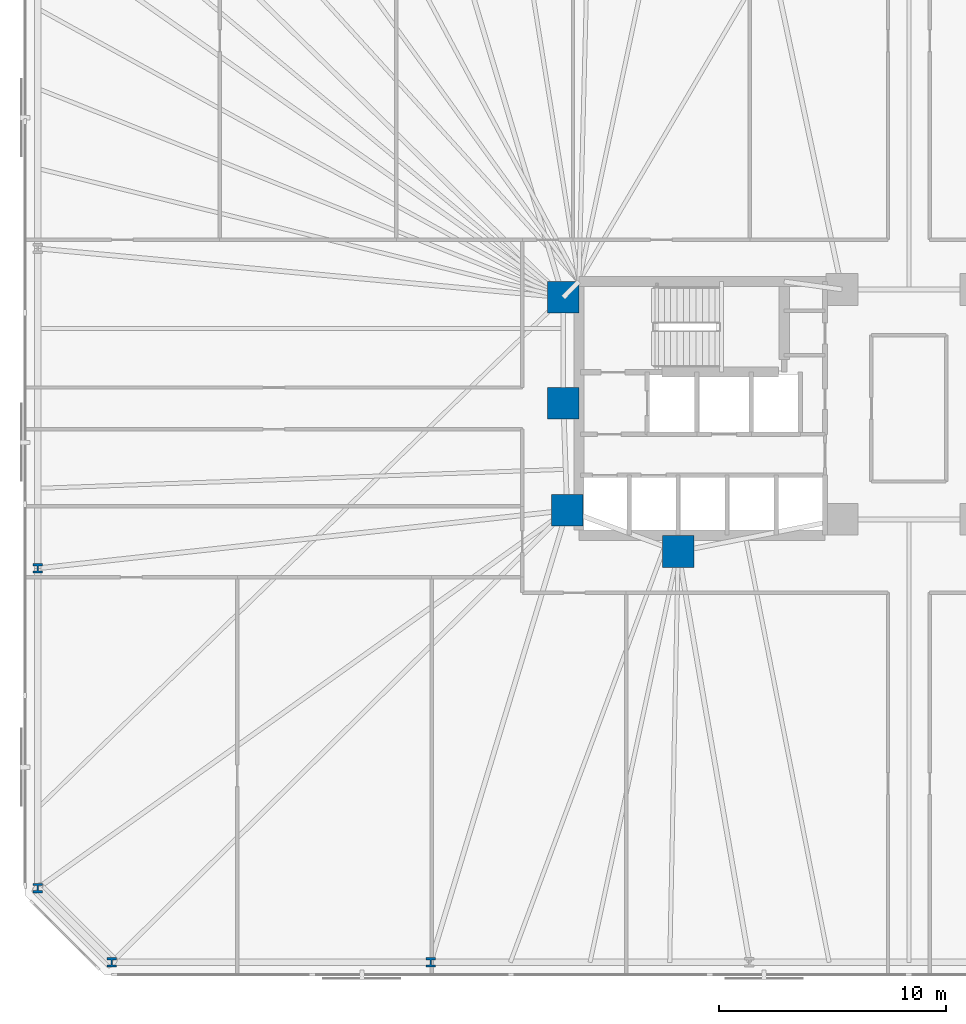
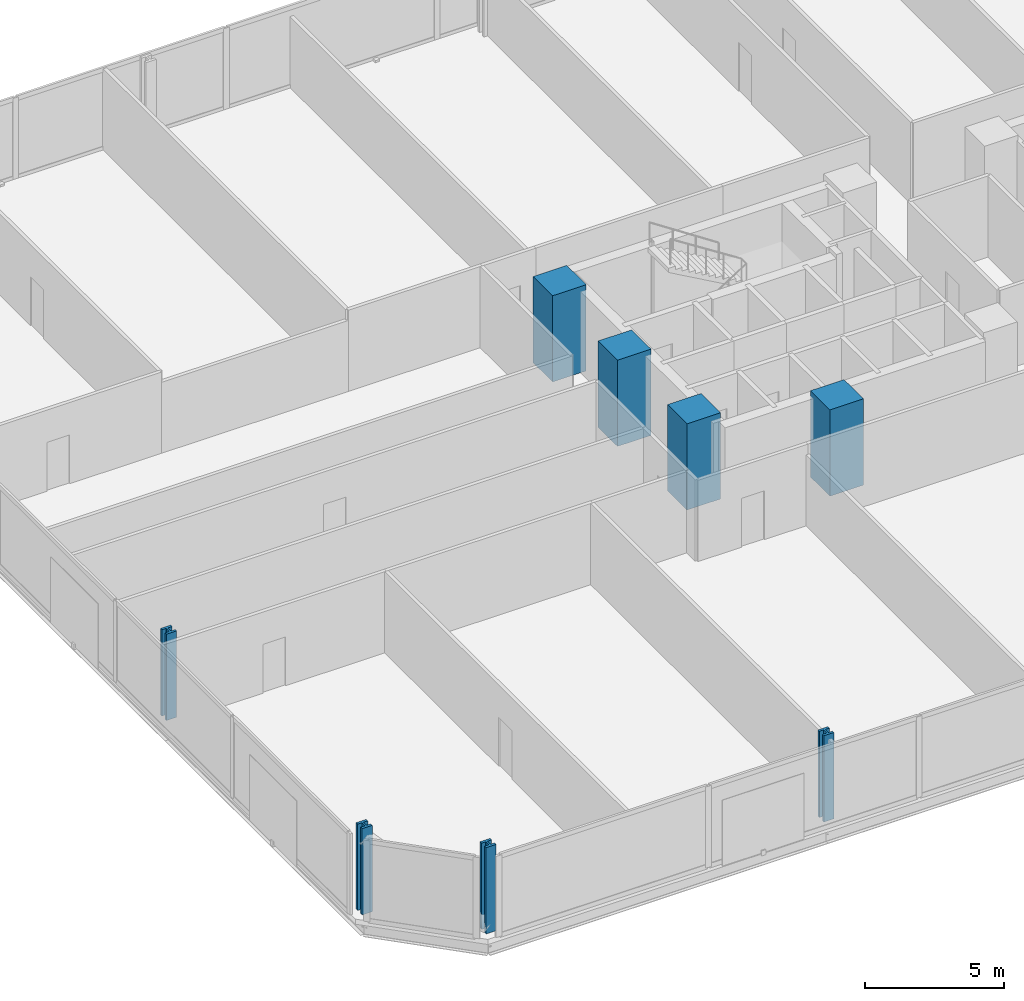
# One storey, part 1 of 17: 8 columns.
"""IFC4 building model written with IfcOpenShell, lengths in metres."""

from ifc_helpers import new_model, si_unit, direction, frame, origin, origin_2d, place, context, subcontext, project, spatial, rectangle, i_section, extrude, material, material_profile, profile_set, type_object, element, save


model = new_model("IFC4")

# Units and contexts
model_context = context("Model", 3, precision=1e-05, world=origin(), true_north=direction((0.0, 1.0)))
body_context = subcontext(model_context, "Body", "Model", "MODEL_VIEW")
ifc_project = project(units=[si_unit("LENGTHUNIT", "METRE"), si_unit("AREAUNIT", "SQUARE_METRE"), si_unit("VOLUMEUNIT", "CUBIC_METRE"), si_unit("PLANEANGLEUNIT", "RADIAN"), si_unit("MASSUNIT", "GRAM", prefix="KILO")], contexts=[model_context])

# Site, building, storey
site_placement = place(None, origin())
site = spatial("IfcSite", under=ifc_project, at=site_placement, CompositionType="ELEMENT")
building_placement = place(site_placement, origin())
building = spatial("IfcBuilding", under=site, at=building_placement, Name="Menara Jurai Vektor", CompositionType="ELEMENT")
storey_placement = place(building_placement, frame((0.0, 0.0, 63.60009765625)))
storey = spatial("IfcBuildingStorey", under=building, at=storey_placement, Name="L15", CompositionType="ELEMENT", Elevation=63.60009765625)

# Columns
ifc_material_1 = material(Name="Concrete C60/75", Category="concrete")
ifc_material_profile_1 = material_profile(ifc_material_1, rectangle(XDim=1.39990234375, YDim=1.39990234375, at=origin_2d()), Name="RC 1400x1400")
ifc_profile_set_1 = profile_set([ifc_material_profile_1], Name="Concrete C60/75")
column_type_1 = type_object("IfcColumnType", Name="STR-COL-RC1400", PredefinedType="COLUMN", material=ifc_profile_set_1)
for number, where, z_axis, x_axis, name in (
    (1, (-15.25, 4.89990234375, 0.0), (0.0, 0.0, 1.0), (1.0, 0.0, 0.0), "Core Spine Column CW-NW L15"),
    (2, (-15.25, 0.219970703125, 0.0), (0.0, 0.0, 1.0), (1.0, 0.0, 0.0), "Core Spine Column CW-WM L15"),
    (3, (-15.080078125, -4.5, 0.0), (0.0, 0.0, 1.0), (1.0, 0.0, 0.0), "Core Spine Column CW-SW L15"),
    (4, (-10.179931640625, -6.320068359375, 0.0), (0.0, 0.0, 1.0), (1.0, 0.0, 0.0), "Core Spine Column CW-SM L15"),
):
    element("IfcColumn", number, at=place(storey_placement, frame(where, z_axis=z_axis, x_axis=x_axis)), inside=storey, type_object=column_type_1, Name=name, PredefinedType="COLUMN", context=body_context, shape_type="SweptSolid", body=[
        extrude(rectangle(XDim=1.39990234375, YDim=1.39990234375, at=origin_2d()), origin(), (0.0, 0.0, 1.0), 3.7998046875),
    ])
ifc_material_2 = material(Name="Steel S460", Category="steel")
ifc_material_profile_2 = material_profile(ifc_material_2, i_section(OverallWidth=0.419921875, OverallDepth=0.430908203125, WebThickness=0.06494140625, FlangeThickness=0.10595703125, FilletRadius=0.014892578125, at=origin_2d()), Name="HD 400x900")
ifc_profile_set_2 = profile_set([ifc_material_profile_2], Name="Steel S460")
column_type_2 = type_object("IfcColumnType", Name="STR-EXO-BLK1", PredefinedType="COLUMN", material=ifc_profile_set_2)
for number, where, z_axis, x_axis, name in (
    (5, (-35.177734375, -24.449951171875, 0.0), (0.0, 0.0, 1.0), (1.0, 0.0, 0.0), "Exoskeleton Column BLK1-S1 L15"),
    (6, (-21.106689453125, -24.449951171875, 0.0), (0.0, 0.0, 1.0), (1.0, 0.0, 0.0), "Exoskeleton Column BLK1-S2 L15"),
    (7, (-38.449951171875, -7.059326171875, 0.0), (0.0, 0.0, 1.0), (1.0, 0.0, 0.0), "Exoskeleton Column BLK1-W3 L15"),
    (8, (-38.449951171875, -21.177734375, 0.0), (0.0, 0.0, 1.0), (1.0, 0.0, 0.0), "Exoskeleton Column BLK1-W4 L15"),
):
    element("IfcColumn", number, at=place(storey_placement, frame(where, z_axis=z_axis, x_axis=x_axis)), inside=storey, type_object=column_type_2, Name=name, PredefinedType="COLUMN", context=body_context, shape_type="SweptSolid", body=[
        extrude(i_section(OverallWidth=0.419921875, OverallDepth=0.430908203125, WebThickness=0.06494140625, FlangeThickness=0.10595703125, FilletRadius=0.014892578125, at=origin_2d()), origin(), (0.0, 0.0, 1.0), 3.7998046875),
    ])

save(model, "model.ifc")
